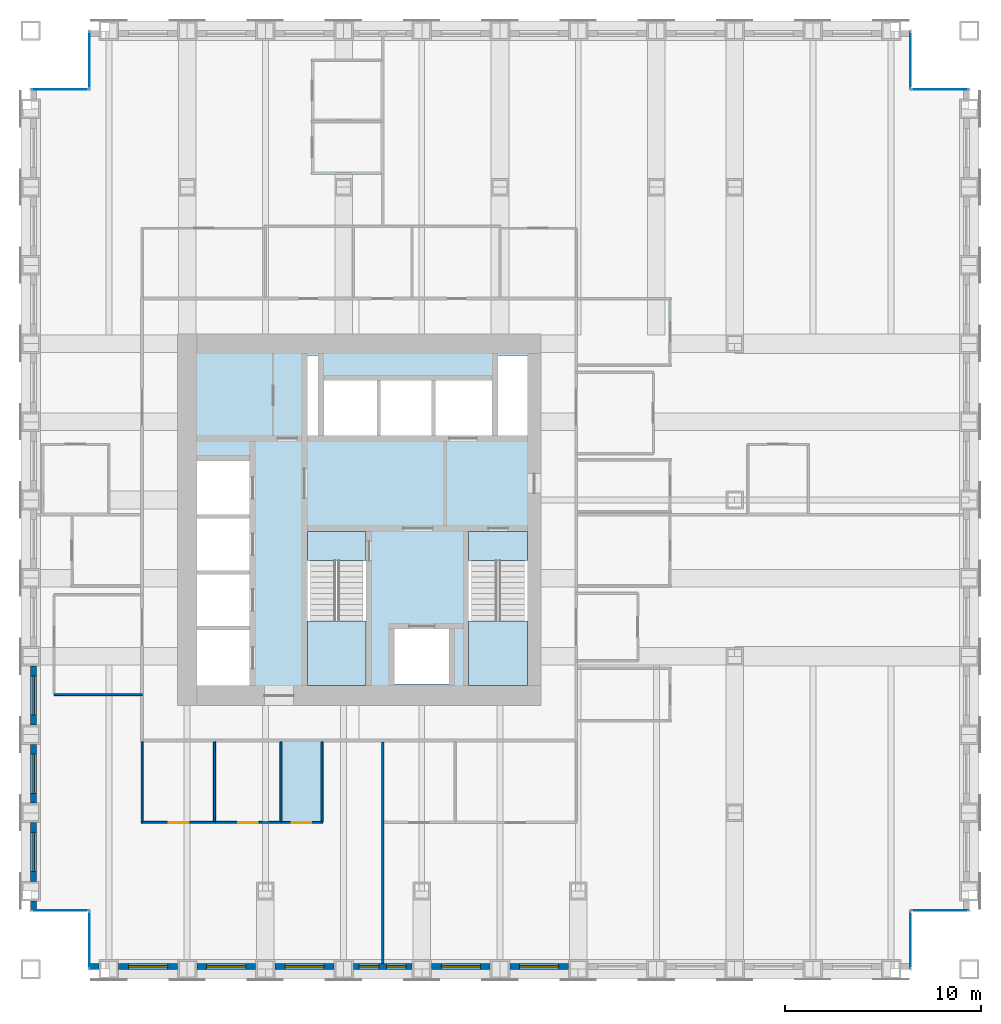
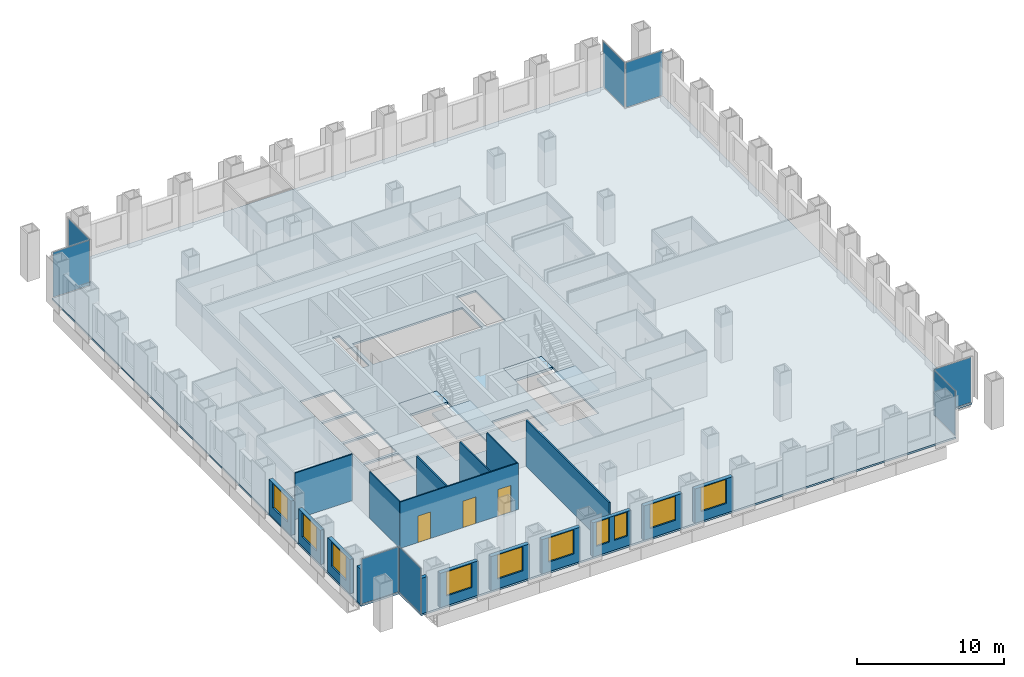
# One storey, part 10 of 16: 18 walls, 10 windows, 8 plates, 5 slabs, 3 doors, 13 openings, 10 elements without a shape of their own.
"""IFC4 building model written with IfcOpenShell, lengths in metres."""

from ifc_helpers import new_model, si_unit, direction, frame, frame_2d, origin, origin_2d, place, context, subcontext, project, spatial, polyline, rectangle, outline, extrude, material, layer, layer_set, type_object, element, fill, aggregate, save


model = new_model("IFC4")

# Units and contexts
model_context = context("Model", 3, precision=1e-05, world=origin(), true_north=direction((0.0, 1.0)))
body_context = subcontext(model_context, "Body", "Model", "MODEL_VIEW")
ifc_project = project(units=[si_unit("LENGTHUNIT", "METRE"), si_unit("AREAUNIT", "SQUARE_METRE"), si_unit("VOLUMEUNIT", "CUBIC_METRE"), si_unit("PLANEANGLEUNIT", "RADIAN"), si_unit("MASSUNIT", "GRAM", prefix="KILO")], contexts=[model_context])

# Site, building, storey
site_placement = place(None, origin())
site = spatial("IfcSite", under=ifc_project, at=site_placement, CompositionType="ELEMENT")
building_placement = place(site_placement, origin())
building = spatial("IfcBuilding", under=site, at=building_placement, Name="Rimbunsela Tower", CompositionType="ELEMENT")
storey_placement = place(building_placement, frame((0.0, 0.0, 125.39990234375)))
storey = spatial("IfcBuildingStorey", under=building, at=storey_placement, Name="L30", CompositionType="ELEMENT", Elevation=125.39990234375)

# Slab
ifc_material_1 = material(Name="Concrete fc' 35 MPa", Category="concrete")
ifc_layer_1 = layer(ifc_material_1, 0.14990234375)
ifc_layer_set_1 = layer_set([ifc_layer_1], Name="Floor slab 150")
slab_type_1 = type_object("IfcSlabType", Name="Floor slab 150", PredefinedType="FLOOR", material=ifc_layer_set_1)
slab_1_placement = place(storey_placement, frame((0.0, 0.0, -0.14990234375)))
element("IfcSlab", 1, at=slab_1_placement, inside=storey, type_object=slab_type_1, Name="Floor slab L30", PredefinedType="FLOOR", context=body_context, shape_type="SweptSolid", body=[
    extrude(outline(polyline([(13.0, 4.0), (55.0, 4.0), (55.0, 7.0), (58.0, 7.0), (58.0, 49.0), (55.0, 49.0), (55.0, 52.0), (13.0, 52.0), (13.0, 49.0), (10.0, 49.0), (10.0, 7.0), (13.0, 7.0), (13.0, 4.0)]), holes=[polyline([(21.199951171875, 21.35009765625), (18.5, 21.35009765625), (18.5, 18.5), (21.199951171875, 18.5), (21.199951171875, 21.35009765625)]), polyline([(21.199951171875, 21.550048828125), (21.199951171875, 24.199951171875), (18.5, 24.199951171875), (18.5, 21.550048828125), (21.199951171875, 21.550048828125)]), polyline([(21.199951171875, 27.050048828125), (18.5, 27.050048828125), (18.5, 24.39990234375), (21.199951171875, 24.39990234375), (21.199951171875, 27.050048828125)]), polyline([(21.199951171875, 27.25), (21.199951171875, 30.0), (18.5, 30.0), (18.5, 27.25), (21.199951171875, 27.25)]), polyline([(27.14990234375, 18.60009765625), (27.14990234375, 26.39990234375), (24.14990234375, 26.39990234375), (24.14990234375, 18.60009765625), (27.14990234375, 18.60009765625)]), polyline([(24.699951171875, 31.300048828125), (24.699951171875, 35.39990234375), (24.14990234375, 35.39990234375), (24.14990234375, 31.300048828125), (24.699951171875, 31.300048828125)]), polyline([(25.0, 34.10009765625), (25.0, 31.300048828125), (33.60009765625, 31.300048828125), (33.60009765625, 34.10009765625), (25.0, 34.10009765625)]), polyline([(31.39990234375, 21.39990234375), (28.60009765625, 21.39990234375), (28.60009765625, 18.60009765625), (31.39990234375, 18.60009765625), (31.39990234375, 21.39990234375)]), polyline([(35.39990234375, 18.60009765625), (35.39990234375, 26.39990234375), (32.39990234375, 26.39990234375), (32.39990234375, 18.60009765625), (35.39990234375, 18.60009765625)]), polyline([(35.39990234375, 31.300048828125), (35.39990234375, 35.39990234375), (33.89990234375, 35.39990234375), (33.89990234375, 31.300048828125), (35.39990234375, 31.300048828125)])]), origin(), (0.0, 0.0, 1.0), 0.14990234375),
])

# Curtain wall, plate
ifc_material_2 = material(Name="Aluminium curtain wall", Category="aluminium")
curtain_wall_type = type_object("IfcCurtainWallType", Name="Corner glazing", PredefinedType="USERDEFINED", material=ifc_material_2)
curtain_wall_1_placement = place(storey_placement, origin())
curtain_wall_1 = element("IfcCurtainWall", 2, at=curtain_wall_1_placement, inside=storey, type_object=curtain_wall_type, Name="Corner glazing L30", ObjectType="CORNER GLAZING", PredefinedType="USERDEFINED")
ifc_material_3 = material(Name="Clear double glazing", Category="glass")
ifc_layer_2 = layer(ifc_material_3, 0.028076171875)
ifc_layer_set_2 = layer_set([ifc_layer_2], Name="Glazed panel clear")
plate_type = type_object("IfcPlateType", Name="Glazed panel clear", PredefinedType="CURTAIN_PANEL", material=ifc_layer_set_2)
plate_1_placement = place(storey_placement, frame((55.0, 5.5, 0.06005859375), z_axis=(0.0, 0.0, 1.0), x_axis=(0.0, 1.0, 0.0)))
plate_1 = element("IfcPlate", 3, at=plate_1_placement, type_object=plate_type, Name="CW5 panel 1.1", PredefinedType="CURTAIN_PANEL", context=body_context, shape_type="SweptSolid", body=[
    extrude(rectangle(XDim=2.8798828125, YDim=0.028076171875, at=origin_2d()), origin(), (0.0, 0.0, 1.0), 3.72998046875),
])
aggregate(curtain_wall_1, [plate_1])

curtain_wall_2_placement = place(storey_placement, origin())
curtain_wall_2 = element("IfcCurtainWall", 4, at=curtain_wall_2_placement, inside=storey, type_object=curtain_wall_type, Name="Corner glazing L30", ObjectType="CORNER GLAZING", PredefinedType="USERDEFINED")
plate_2_placement = place(storey_placement, frame((56.5, 7.0, 0.06005859375), z_axis=(0.0, 0.0, 1.0), x_axis=(1.0, 0.0, 0.0)))
plate_2 = element("IfcPlate", 5, at=plate_2_placement, type_object=plate_type, Name="CW5 panel 1.1", PredefinedType="CURTAIN_PANEL", context=body_context, shape_type="SweptSolid", body=[
    extrude(rectangle(XDim=2.8798828125, YDim=0.028076171875, at=origin_2d()), origin(), (0.0, 0.0, 1.0), 3.72998046875),
])
aggregate(curtain_wall_2, [plate_2])

curtain_wall_3_placement = place(storey_placement, origin())
curtain_wall_3 = element("IfcCurtainWall", 6, at=curtain_wall_3_placement, inside=storey, type_object=curtain_wall_type, Name="Corner glazing L30", ObjectType="CORNER GLAZING", PredefinedType="USERDEFINED")
plate_3_placement = place(storey_placement, frame((56.5, 49.0, 0.06005859375), z_axis=(0.0, 0.0, 1.0), x_axis=(-1.0, 0.0, 0.0)))
plate_3 = element("IfcPlate", 7, at=plate_3_placement, type_object=plate_type, Name="CW5 panel 1.1", PredefinedType="CURTAIN_PANEL", context=body_context, shape_type="SweptSolid", body=[
    extrude(rectangle(XDim=2.8798828125, YDim=0.028076171875, at=origin_2d()), origin(), (0.0, 0.0, 1.0), 3.72998046875),
])
aggregate(curtain_wall_3, [plate_3])

curtain_wall_4_placement = place(storey_placement, origin())
curtain_wall_4 = element("IfcCurtainWall", 8, at=curtain_wall_4_placement, inside=storey, type_object=curtain_wall_type, Name="Corner glazing L30", ObjectType="CORNER GLAZING", PredefinedType="USERDEFINED")
plate_4_placement = place(storey_placement, frame((55.0, 50.5, 0.06005859375), z_axis=(0.0, 0.0, 1.0), x_axis=(0.0, 1.0, 0.0)))
plate_4 = element("IfcPlate", 9, at=plate_4_placement, type_object=plate_type, Name="CW5 panel 1.1", PredefinedType="CURTAIN_PANEL", context=body_context, shape_type="SweptSolid", body=[
    extrude(rectangle(XDim=2.8798828125, YDim=0.028076171875, at=origin_2d()), origin(), (0.0, 0.0, 1.0), 3.72998046875),
])
aggregate(curtain_wall_4, [plate_4])

curtain_wall_5_placement = place(storey_placement, origin())
curtain_wall_5 = element("IfcCurtainWall", 10, at=curtain_wall_5_placement, inside=storey, type_object=curtain_wall_type, Name="Corner glazing L30", ObjectType="CORNER GLAZING", PredefinedType="USERDEFINED")
plate_5_placement = place(storey_placement, frame((13.0, 50.5, 0.06005859375), z_axis=(0.0, 0.0, 1.0), x_axis=(0.0, -1.0, 0.0)))
plate_5 = element("IfcPlate", 11, at=plate_5_placement, type_object=plate_type, Name="CW5 panel 1.1", PredefinedType="CURTAIN_PANEL", context=body_context, shape_type="SweptSolid", body=[
    extrude(rectangle(XDim=2.8798828125, YDim=0.028076171875, at=origin_2d()), origin(), (0.0, 0.0, 1.0), 3.72998046875),
])
aggregate(curtain_wall_5, [plate_5])

curtain_wall_6_placement = place(storey_placement, origin())
curtain_wall_6 = element("IfcCurtainWall", 12, at=curtain_wall_6_placement, inside=storey, type_object=curtain_wall_type, Name="Corner glazing L30", ObjectType="CORNER GLAZING", PredefinedType="USERDEFINED")
plate_6_placement = place(storey_placement, frame((11.5, 49.0, 0.06005859375), z_axis=(0.0, 0.0, 1.0), x_axis=(-1.0, 0.0, 0.0)))
plate_6 = element("IfcPlate", 13, at=plate_6_placement, type_object=plate_type, Name="CW5 panel 1.1", PredefinedType="CURTAIN_PANEL", context=body_context, shape_type="SweptSolid", body=[
    extrude(rectangle(XDim=2.8798828125, YDim=0.028076171875, at=origin_2d()), origin(), (0.0, 0.0, 1.0), 3.72998046875),
])
aggregate(curtain_wall_6, [plate_6])

curtain_wall_7_placement = place(storey_placement, origin())
curtain_wall_7 = element("IfcCurtainWall", 14, at=curtain_wall_7_placement, inside=storey, type_object=curtain_wall_type, Name="Corner glazing L30", ObjectType="CORNER GLAZING", PredefinedType="USERDEFINED")
plate_7_placement = place(storey_placement, frame((11.5, 7.0, 0.06005859375), z_axis=(0.0, 0.0, 1.0), x_axis=(1.0, 0.0, 0.0)))
plate_7 = element("IfcPlate", 15, at=plate_7_placement, type_object=plate_type, Name="CW5 panel 1.1", PredefinedType="CURTAIN_PANEL", context=body_context, shape_type="SweptSolid", body=[
    extrude(rectangle(XDim=2.8798828125, YDim=0.028076171875, at=origin_2d()), origin(), (0.0, 0.0, 1.0), 3.72998046875),
])
aggregate(curtain_wall_7, [plate_7])

curtain_wall_8_placement = place(storey_placement, origin())
curtain_wall_8 = element("IfcCurtainWall", 16, at=curtain_wall_8_placement, inside=storey, type_object=curtain_wall_type, Name="Corner glazing L30", ObjectType="CORNER GLAZING", PredefinedType="USERDEFINED")
plate_8_placement = place(storey_placement, frame((13.0, 5.5, 0.06005859375), z_axis=(0.0, 0.0, 1.0), x_axis=(0.0, -1.0, 0.0)))
plate_8 = element("IfcPlate", 17, at=plate_8_placement, type_object=plate_type, Name="CW5 panel 1.1", PredefinedType="CURTAIN_PANEL", context=body_context, shape_type="SweptSolid", body=[
    extrude(rectangle(XDim=2.8798828125, YDim=0.028076171875, at=origin_2d()), origin(), (0.0, 0.0, 1.0), 3.72998046875),
])
aggregate(curtain_wall_8, [plate_8])

# Stair, slabs
ifc_material_4 = material(Name="Concrete fc' 35 MPa", Category="concrete")
stair_type = type_object("IfcStairType", Name="Exit stair 24 risers", PredefinedType="HALF_TURN_STAIR", material=ifc_material_4)
stair_1_placement = place(storey_placement, origin())
stair_1 = element("IfcStair", 18, at=stair_1_placement, inside=storey, type_object=stair_type, Name="Exit stair A L30", PredefinedType="HALF_TURN_STAIR")
ifc_material_5 = material(Name="Concrete fc' 35 MPa", Category="concrete")
ifc_layer_3 = layer(ifc_material_5, 0.199951171875)
ifc_layer_set_3 = layer_set([ifc_layer_3], Name="Stair landing 200")
slab_type_2 = type_object("IfcSlabType", Name="Stair landing 200", PredefinedType="LANDING", material=ifc_layer_set_3)
slab_2_placement = place(storey_placement, frame((0.0, 0.0, -0.199951171875)))
slab_2 = element("IfcSlab", 19, at=slab_2_placement, type_object=slab_type_2, Name="ST-A landing 1", PredefinedType="LANDING", context=body_context, shape_type="SweptSolid", body=[
    extrude(outline(polyline([(24.14990234375, 24.89990234375), (27.14990234375, 24.89990234375), (27.14990234375, 26.39990234375), (24.14990234375, 26.39990234375), (24.14990234375, 24.89990234375)])), origin(), (0.0, 0.0, 1.0), 0.199951171875),
])
slab_3_placement = place(storey_placement, frame((0.0, 0.0, 1.800048828125)))
slab_3 = element("IfcSlab", 20, at=slab_3_placement, type_object=slab_type_2, Name="ST-A landing 2", PredefinedType="LANDING", context=body_context, shape_type="SweptSolid", body=[
    extrude(outline(polyline([(24.14990234375, 18.5), (27.14990234375, 18.5), (27.14990234375, 21.820068359375), (24.14990234375, 21.820068359375), (24.14990234375, 18.5)])), origin(), (0.0, 0.0, 1.0), 0.199951171875),
])
aggregate(stair_1, [slab_2, slab_3])

stair_2_placement = place(storey_placement, origin())
stair_2 = element("IfcStair", 21, at=stair_2_placement, inside=storey, type_object=stair_type, Name="Exit stair B L30", PredefinedType="HALF_TURN_STAIR")
slab_4_placement = place(storey_placement, frame((0.0, 0.0, -0.199951171875)))
slab_4 = element("IfcSlab", 22, at=slab_4_placement, type_object=slab_type_2, Name="ST-B landing 1", PredefinedType="LANDING", context=body_context, shape_type="SweptSolid", body=[
    extrude(outline(polyline([(32.39990234375, 24.89990234375), (35.39990234375, 24.89990234375), (35.39990234375, 26.39990234375), (32.39990234375, 26.39990234375), (32.39990234375, 24.89990234375)])), origin(), (0.0, 0.0, 1.0), 0.199951171875),
])
slab_5_placement = place(storey_placement, frame((0.0, 0.0, 1.800048828125)))
slab_5 = element("IfcSlab", 23, at=slab_5_placement, type_object=slab_type_2, Name="ST-B landing 2", PredefinedType="LANDING", context=body_context, shape_type="SweptSolid", body=[
    extrude(outline(polyline([(32.39990234375, 18.5), (35.39990234375, 18.5), (35.39990234375, 21.820068359375), (32.39990234375, 21.820068359375), (32.39990234375, 18.5)])), origin(), (0.0, 0.0, 1.0), 0.199951171875),
])
aggregate(stair_2, [slab_4, slab_5])

# Wall, openings, doors
ifc_material_6 = material(Name="Gypsum board on steel studs", Category="steel")
ifc_layer_4 = layer(ifc_material_6, 0.10009765625)
ifc_layer_set_4 = layer_set([ifc_layer_4], Name="Office partition 100")
wall_type_1 = type_object("IfcWallType", Name="Office partition 100", PredefinedType="PARTITIONING", material=ifc_layer_set_4)
wall_1_placement = place(storey_placement, frame((15.64990234375, 11.5, 0.0), z_axis=(0.0, 0.0, 1.0), x_axis=(1.0, 0.0, 0.0)))
wall_1 = element("IfcWall", 24, at=wall_1_placement, inside=storey, type_object=wall_type_1, Name="Office partition", PredefinedType="PARTITIONING", context=body_context, shape_type="SweptSolid", body=[
    extrude(rectangle(XDim=9.300048828125, YDim=0.10009765625, at=frame_2d((4.64990234375, 0.0))), origin(), (0.0, 0.0, 1.0), 3.85009765625),
])
opening_1_placement = place(wall_1_placement, frame((1.39990234375, 0.0, 0.0)))
opening_1 = element("IfcOpeningElement", 25, at=opening_1_placement, cuts=wall_1, Name="Opening D17", PredefinedType="OPENING", context=body_context, shape_type="SweptSolid", body=[
    extrude(rectangle(XDim=1.0, YDim=2.199951171875, at=frame_2d((0.5, 1.10009765625))), frame((0.0, 0.06005859375, 0.0), z_axis=(0.0, -1.0, 0.0), x_axis=(1.0, 0.0, 0.0)), (0.0, 0.0, 1.0), 0.1201171875),
])
opening_2_placement = place(wall_1_placement, frame((4.949951171875, 0.0, 0.0)))
opening_2 = element("IfcOpeningElement", 26, at=opening_2_placement, cuts=wall_1, Name="Opening D16", PredefinedType="OPENING", context=body_context, shape_type="SweptSolid", body=[
    extrude(rectangle(XDim=1.0, YDim=2.199951171875, at=frame_2d((0.5, 1.10009765625))), frame((0.0, 0.06005859375, 0.0), z_axis=(0.0, -1.0, 0.0), x_axis=(1.0, 0.0, 0.0)), (0.0, 0.0, 1.0), 0.1201171875),
])
opening_3_placement = place(wall_1_placement, frame((7.699951171875, 0.0, 0.0)))
opening_3 = element("IfcOpeningElement", 27, at=opening_3_placement, cuts=wall_1, Name="Opening D16", PredefinedType="OPENING", context=body_context, shape_type="SweptSolid", body=[
    extrude(rectangle(XDim=1.0, YDim=2.199951171875, at=frame_2d((0.5, 1.10009765625))), frame((0.0, 0.06005859375, 0.0), z_axis=(0.0, -1.0, 0.0), x_axis=(1.0, 0.0, 0.0)), (0.0, 0.0, 1.0), 0.1201171875),
])
ifc_material_7 = material(Name="Glazed aluminium door", Category="aluminium")
door_type_1 = type_object("IfcDoorType", Name="Meeting room door 1000 glazed", OperationType="SINGLE_SWING_RIGHT", PredefinedType="DOOR", material=ifc_material_7)
door_1_placement = place(opening_1_placement, origin())
door_1 = element("IfcDoor", 28, at=door_1_placement, inside=storey, type_object=door_type_1, Name="Meeting room door", OperationType="SINGLE_SWING_RIGHT", OverallHeight=2.199951171875, OverallWidth=1.0, PredefinedType="DOOR", context=body_context, shape_type="SweptSolid", body=[
    extrude(rectangle(XDim=1.0, YDim=2.199951171875, at=frame_2d((0.5, 1.10009765625))), frame((0.0, 0.02490234375, 0.0), z_axis=(0.0, -1.0, 0.0), x_axis=(1.0, 0.0, 0.0)), (0.0, 0.0, 1.0), 0.050048828125),
])
fill(opening_1, door_1)
ifc_material_8 = material(Name="Timber door", Category="wood")
door_type_2 = type_object("IfcDoorType", Name="Office door 1000", OperationType="SINGLE_SWING_LEFT", PredefinedType="DOOR", material=ifc_material_8)
door_2_placement = place(opening_2_placement, origin())
door_2 = element("IfcDoor", 29, at=door_2_placement, inside=storey, type_object=door_type_2, Name="Office door", OperationType="SINGLE_SWING_LEFT", OverallHeight=2.199951171875, OverallWidth=1.0, PredefinedType="DOOR", context=body_context, shape_type="SweptSolid", body=[
    extrude(rectangle(XDim=1.0, YDim=2.199951171875, at=frame_2d((0.5, 1.10009765625))), frame((0.0, 0.02490234375, 0.0), z_axis=(0.0, -1.0, 0.0), x_axis=(1.0, 0.0, 0.0)), (0.0, 0.0, 1.0), 0.050048828125),
])
fill(opening_2, door_2)
door_3_placement = place(opening_3_placement, origin())
door_3 = element("IfcDoor", 30, at=door_3_placement, inside=storey, type_object=door_type_2, Name="Office door", OperationType="SINGLE_SWING_LEFT", OverallHeight=2.199951171875, OverallWidth=1.0, PredefinedType="DOOR", context=body_context, shape_type="SweptSolid", body=[
    extrude(rectangle(XDim=1.0, YDim=2.199951171875, at=frame_2d((0.5, 1.10009765625))), frame((0.0, 0.02490234375, 0.0), z_axis=(0.0, -1.0, 0.0), x_axis=(1.0, 0.0, 0.0)), (0.0, 0.0, 1.0), 0.050048828125),
])
fill(opening_3, door_3)

# Walls
for number, where, z_axis, x_axis, name in (
    (31, (15.699951171875, 11.550048828125, 0.0), (0.0, 0.0, 1.0), (0.0, 1.0, 0.0), "Office partition"),
    (32, (19.39990234375, 11.550048828125, 0.0), (0.0, 0.0, 1.0), (0.0, 1.0, 0.0), "Office partition"),
    (33, (22.800048828125, 11.550048828125, 0.0), (0.0, 0.0, 1.0), (0.0, 1.0, 0.0), "Office partition"),
    (34, (24.89990234375, 11.550048828125, 0.0), (0.0, 0.0, 1.0), (0.0, 1.0, 0.0), "Office partition"),
):
    element("IfcWall", number, at=place(storey_placement, frame(where, z_axis=z_axis, x_axis=x_axis)), inside=storey, type_object=wall_type_1, Name=name, PredefinedType="PARTITIONING", context=body_context, shape_type="SweptSolid", body=[
        extrude(rectangle(XDim=4.074951171875, YDim=0.10009765625, at=frame_2d((2.03759765625, 0.0))), origin(), (0.0, 0.0, 1.0), 3.85009765625),
    ])
wall_2_placement = place(storey_placement, frame((11.199951171875, 18.049072265625, 0.0), z_axis=(0.0, 0.0, 1.0), x_axis=(1.0, 0.0, 0.0)))
element("IfcWall", 35, at=wall_2_placement, inside=storey, type_object=wall_type_1, Name="Office partition", PredefinedType="PARTITIONING", context=body_context, shape_type="SweptSolid", body=[
    extrude(rectangle(XDim=4.5, YDim=0.10009765625, at=frame_2d((2.25, 0.0))), origin(), (0.0, 0.0, 1.0), 3.85009765625),
])
ifc_material_9 = material(Name="Precast concrete fc' 35 MPa", Category="concrete")
ifc_layer_5 = layer(ifc_material_9, 0.300048828125)
ifc_layer_set_5 = layer_set([ifc_layer_5], Name="Precast concrete fc' 35 MPa")
wall_type_2 = type_object("IfcWallType", Name="Precast facade panel 300", PredefinedType="ELEMENTEDWALL", material=ifc_layer_set_5)
wall_3_placement = place(storey_placement, frame((13.030029296875, 4.14990234375, 0.0), z_axis=(0.0, 0.0, 1.0), x_axis=(1.0, 0.0, 0.0)))
element("IfcWall", 36, at=wall_3_placement, inside=storey, type_object=wall_type_2, Name="Facade panel S L30", PredefinedType="ELEMENTEDWALL", context=body_context, shape_type="SweptSolid", body=[
    extrude(rectangle(XDim=0.469970703125, YDim=0.300048828125, at=frame_2d((0.23486328125, 0.0))), origin(), (0.0, 0.0, 1.0), 2.9501953125),
])

# Wall, opening, window
wall_4_placement = place(storey_placement, frame((14.5, 4.14990234375, 0.0), z_axis=(0.0, 0.0, 1.0), x_axis=(1.0, 0.0, 0.0)))
wall_4 = element("IfcWall", 37, at=wall_4_placement, inside=storey, type_object=wall_type_2, Name="Facade panel S L30", PredefinedType="ELEMENTEDWALL", context=body_context, shape_type="SweptSolid", body=[
    extrude(rectangle(XDim=3.0, YDim=0.300048828125, at=frame_2d((1.5, 0.0))), origin(), (0.0, 0.0, 1.0), 2.85009765625),
])
opening_4_placement = place(wall_4_placement, frame((0.5, 0.0, 0.800048828125)))
opening_4 = element("IfcOpeningElement", 38, at=opening_4_placement, cuts=wall_4, Name="Opening W1", PredefinedType="OPENING", context=body_context, shape_type="SweptSolid", body=[
    extrude(rectangle(XDim=2.0, YDim=2.0, at=frame_2d((1.0, 1.0))), frame((0.0, 0.159912109375, 0.0), z_axis=(0.0, -1.0, 0.0), x_axis=(1.0, 0.0, 0.0)), (0.0, 0.0, 1.0), 0.320068359375),
])
ifc_material_10 = material(Name="Clear glass in aluminium frame", Category="aluminium")
window_type_1 = type_object("IfcWindowType", Name="Window W1 2000x2000", PartitioningType="DOUBLE_PANEL_VERTICAL", PredefinedType="WINDOW", material=ifc_material_10)
window_1_placement = place(opening_4_placement, origin())
window_1 = element("IfcWindow", 39, at=window_1_placement, inside=storey, type_object=window_type_1, Name="Window L30", OverallHeight=2.0, OverallWidth=2.0, PartitioningType="SINGLE_PANEL", PredefinedType="WINDOW", context=body_context, shape_type="SweptSolid", body=[
    extrude(rectangle(XDim=2.0, YDim=2.0, at=frame_2d((1.0, 1.0))), frame((0.0, 0.030029296875, 0.0), z_axis=(0.0, -1.0, 0.0), x_axis=(1.0, 0.0, 0.0)), (0.0, 0.0, 1.0), 0.06005859375),
])
fill(opening_4, window_1)

wall_5_placement = place(storey_placement, frame((18.5, 4.14990234375, 0.0), z_axis=(0.0, 0.0, 1.0), x_axis=(1.0, 0.0, 0.0)))
wall_5 = element("IfcWall", 40, at=wall_5_placement, inside=storey, type_object=wall_type_2, Name="Facade panel S L30", PredefinedType="ELEMENTEDWALL", context=body_context, shape_type="SweptSolid", body=[
    extrude(rectangle(XDim=3.0, YDim=0.300048828125, at=frame_2d((1.5, 0.0))), origin(), (0.0, 0.0, 1.0), 2.85009765625),
])
opening_5_placement = place(wall_5_placement, frame((0.5, 0.0, 0.800048828125)))
opening_5 = element("IfcOpeningElement", 41, at=opening_5_placement, cuts=wall_5, Name="Opening W1", PredefinedType="OPENING", context=body_context, shape_type="SweptSolid", body=[
    extrude(rectangle(XDim=2.0, YDim=2.0, at=frame_2d((1.0, 1.0))), frame((0.0, 0.159912109375, 0.0), z_axis=(0.0, -1.0, 0.0), x_axis=(1.0, 0.0, 0.0)), (0.0, 0.0, 1.0), 0.320068359375),
])
window_2_placement = place(opening_5_placement, origin())
window_2 = element("IfcWindow", 42, at=window_2_placement, inside=storey, type_object=window_type_1, Name="Window L30", OverallHeight=2.0, OverallWidth=2.0, PartitioningType="SINGLE_PANEL", PredefinedType="WINDOW", context=body_context, shape_type="SweptSolid", body=[
    extrude(rectangle(XDim=2.0, YDim=2.0, at=frame_2d((1.0, 1.0))), frame((0.0, 0.030029296875, 0.0), z_axis=(0.0, -1.0, 0.0), x_axis=(1.0, 0.0, 0.0)), (0.0, 0.0, 1.0), 0.06005859375),
])
fill(opening_5, window_2)

wall_6_placement = place(storey_placement, frame((22.5, 4.14990234375, 0.0), z_axis=(0.0, 0.0, 1.0), x_axis=(1.0, 0.0, 0.0)))
wall_6 = element("IfcWall", 43, at=wall_6_placement, inside=storey, type_object=wall_type_2, Name="Facade panel S L30", PredefinedType="ELEMENTEDWALL", context=body_context, shape_type="SweptSolid", body=[
    extrude(rectangle(XDim=3.0, YDim=0.300048828125, at=frame_2d((1.5, 0.0))), origin(), (0.0, 0.0, 1.0), 2.85009765625),
])
opening_6_placement = place(wall_6_placement, frame((0.5, 0.0, 0.800048828125)))
opening_6 = element("IfcOpeningElement", 44, at=opening_6_placement, cuts=wall_6, Name="Opening W1", PredefinedType="OPENING", context=body_context, shape_type="SweptSolid", body=[
    extrude(rectangle(XDim=2.0, YDim=2.0, at=frame_2d((1.0, 1.0))), frame((0.0, 0.159912109375, 0.0), z_axis=(0.0, -1.0, 0.0), x_axis=(1.0, 0.0, 0.0)), (0.0, 0.0, 1.0), 0.320068359375),
])
window_3_placement = place(opening_6_placement, origin())
window_3 = element("IfcWindow", 45, at=window_3_placement, inside=storey, type_object=window_type_1, Name="Window L30", OverallHeight=2.0, OverallWidth=2.0, PartitioningType="SINGLE_PANEL", PredefinedType="WINDOW", context=body_context, shape_type="SweptSolid", body=[
    extrude(rectangle(XDim=2.0, YDim=2.0, at=frame_2d((1.0, 1.0))), frame((0.0, 0.030029296875, 0.0), z_axis=(0.0, -1.0, 0.0), x_axis=(1.0, 0.0, 0.0)), (0.0, 0.0, 1.0), 0.06005859375),
])
fill(opening_6, window_3)

# Wall, openings, windows
wall_7_placement = place(storey_placement, frame((26.5, 4.14990234375, 0.0), z_axis=(0.0, 0.0, 1.0), x_axis=(1.0, 0.0, 0.0)))
wall_7 = element("IfcWall", 46, at=wall_7_placement, inside=storey, type_object=wall_type_2, Name="Facade panel S L30", PredefinedType="ELEMENTEDWALL", context=body_context, shape_type="SweptSolid", body=[
    extrude(rectangle(XDim=3.0, YDim=0.300048828125, at=frame_2d((1.5, 0.0))), origin(), (0.0, 0.0, 1.0), 2.85009765625),
])
opening_7_placement = place(wall_7_placement, frame((0.300048828125, 0.0, 0.800048828125)))
opening_7 = element("IfcOpeningElement", 47, at=opening_7_placement, cuts=wall_7, Name="Opening W5", PredefinedType="OPENING", context=body_context, shape_type="SweptSolid", body=[
    extrude(rectangle(XDim=1.0, YDim=2.0, at=frame_2d((0.5, 1.0))), frame((0.0, 0.159912109375, 0.0), z_axis=(0.0, -1.0, 0.0), x_axis=(1.0, 0.0, 0.0)), (0.0, 0.0, 1.0), 0.320068359375),
])
opening_8_placement = place(wall_7_placement, frame((1.699951171875, 0.0, 0.800048828125)))
opening_8 = element("IfcOpeningElement", 48, at=opening_8_placement, cuts=wall_7, Name="Opening W5", PredefinedType="OPENING", context=body_context, shape_type="SweptSolid", body=[
    extrude(rectangle(XDim=1.0, YDim=2.0, at=frame_2d((0.5, 1.0))), frame((0.0, 0.159912109375, 0.0), z_axis=(0.0, -1.0, 0.0), x_axis=(1.0, 0.0, 0.0)), (0.0, 0.0, 1.0), 0.320068359375),
])
ifc_material_11 = material(Name="Clear glass in aluminium frame", Category="aluminium")
window_type_2 = type_object("IfcWindowType", Name="Window W5 1000x2000", PartitioningType="SINGLE_PANEL", PredefinedType="WINDOW", material=ifc_material_11)
window_4_placement = place(opening_7_placement, origin())
window_4 = element("IfcWindow", 49, at=window_4_placement, inside=storey, type_object=window_type_2, Name="Window L30", OverallHeight=2.0, OverallWidth=1.0, PartitioningType="SINGLE_PANEL", PredefinedType="WINDOW", context=body_context, shape_type="SweptSolid", body=[
    extrude(rectangle(XDim=1.0, YDim=2.0, at=frame_2d((0.5, 1.0))), frame((0.0, 0.030029296875, 0.0), z_axis=(0.0, -1.0, 0.0), x_axis=(1.0, 0.0, 0.0)), (0.0, 0.0, 1.0), 0.06005859375),
])
fill(opening_7, window_4)
window_5_placement = place(opening_8_placement, origin())
window_5 = element("IfcWindow", 50, at=window_5_placement, inside=storey, type_object=window_type_2, Name="Window L30", OverallHeight=2.0, OverallWidth=1.0, PartitioningType="SINGLE_PANEL", PredefinedType="WINDOW", context=body_context, shape_type="SweptSolid", body=[
    extrude(rectangle(XDim=1.0, YDim=2.0, at=frame_2d((0.5, 1.0))), frame((0.0, 0.030029296875, 0.0), z_axis=(0.0, -1.0, 0.0), x_axis=(1.0, 0.0, 0.0)), (0.0, 0.0, 1.0), 0.06005859375),
])
fill(opening_8, window_5)

# Wall, opening, window
wall_8_placement = place(storey_placement, frame((30.5, 4.14990234375, 0.0), z_axis=(0.0, 0.0, 1.0), x_axis=(1.0, 0.0, 0.0)))
wall_8 = element("IfcWall", 51, at=wall_8_placement, inside=storey, type_object=wall_type_2, Name="Facade panel S L30", PredefinedType="ELEMENTEDWALL", context=body_context, shape_type="SweptSolid", body=[
    extrude(rectangle(XDim=3.0, YDim=0.300048828125, at=frame_2d((1.5, 0.0))), origin(), (0.0, 0.0, 1.0), 2.85009765625),
])
opening_9_placement = place(wall_8_placement, frame((0.5, 0.0, 0.800048828125)))
opening_9 = element("IfcOpeningElement", 52, at=opening_9_placement, cuts=wall_8, Name="Opening W1", PredefinedType="OPENING", context=body_context, shape_type="SweptSolid", body=[
    extrude(rectangle(XDim=2.0, YDim=2.0, at=frame_2d((1.0, 1.0))), frame((0.0, 0.159912109375, 0.0), z_axis=(0.0, -1.0, 0.0), x_axis=(1.0, 0.0, 0.0)), (0.0, 0.0, 1.0), 0.320068359375),
])
window_6_placement = place(opening_9_placement, origin())
window_6 = element("IfcWindow", 53, at=window_6_placement, inside=storey, type_object=window_type_1, Name="Window L30", OverallHeight=2.0, OverallWidth=2.0, PartitioningType="SINGLE_PANEL", PredefinedType="WINDOW", context=body_context, shape_type="SweptSolid", body=[
    extrude(rectangle(XDim=2.0, YDim=2.0, at=frame_2d((1.0, 1.0))), frame((0.0, 0.030029296875, 0.0), z_axis=(0.0, -1.0, 0.0), x_axis=(1.0, 0.0, 0.0)), (0.0, 0.0, 1.0), 0.06005859375),
])
fill(opening_9, window_6)

wall_9_placement = place(storey_placement, frame((34.5, 4.14990234375, 0.0), z_axis=(0.0, 0.0, 1.0), x_axis=(1.0, 0.0, 0.0)))
wall_9 = element("IfcWall", 54, at=wall_9_placement, inside=storey, type_object=wall_type_2, Name="Facade panel S L30", PredefinedType="ELEMENTEDWALL", context=body_context, shape_type="SweptSolid", body=[
    extrude(rectangle(XDim=3.0, YDim=0.300048828125, at=frame_2d((1.5, 0.0))), origin(), (0.0, 0.0, 1.0), 2.85009765625),
])
opening_10_placement = place(wall_9_placement, frame((0.5, 0.0, 0.800048828125)))
opening_10 = element("IfcOpeningElement", 55, at=opening_10_placement, cuts=wall_9, Name="Opening W1", PredefinedType="OPENING", context=body_context, shape_type="SweptSolid", body=[
    extrude(rectangle(XDim=2.0, YDim=2.0, at=frame_2d((1.0, 1.0))), frame((0.0, 0.159912109375, 0.0), z_axis=(0.0, -1.0, 0.0), x_axis=(1.0, 0.0, 0.0)), (0.0, 0.0, 1.0), 0.320068359375),
])
window_7_placement = place(opening_10_placement, origin())
window_7 = element("IfcWindow", 56, at=window_7_placement, inside=storey, type_object=window_type_1, Name="Window L30", OverallHeight=2.0, OverallWidth=2.0, PartitioningType="SINGLE_PANEL", PredefinedType="WINDOW", context=body_context, shape_type="SweptSolid", body=[
    extrude(rectangle(XDim=2.0, YDim=2.0, at=frame_2d((1.0, 1.0))), frame((0.0, 0.030029296875, 0.0), z_axis=(0.0, -1.0, 0.0), x_axis=(1.0, 0.0, 0.0)), (0.0, 0.0, 1.0), 0.06005859375),
])
fill(opening_10, window_7)

# Wall
wall_10_placement = place(storey_placement, frame((10.14990234375, 7.5, 0.0), z_axis=(0.0, 0.0, 1.0), x_axis=(0.0, -1.0, 0.0)))
element("IfcWall", 57, at=wall_10_placement, inside=storey, type_object=wall_type_2, Name="Facade panel W L30", PredefinedType="ELEMENTEDWALL", context=body_context, shape_type="SweptSolid", body=[
    extrude(rectangle(XDim=0.469970703125, YDim=0.300048828125, at=frame_2d((0.23486328125, 0.0))), origin(), (0.0, 0.0, 1.0), 2.9501953125),
])

# Wall, opening, window
wall_11_placement = place(storey_placement, frame((10.14990234375, 11.5, 0.0), z_axis=(0.0, 0.0, 1.0), x_axis=(0.0, -1.0, 0.0)))
wall_11 = element("IfcWall", 58, at=wall_11_placement, inside=storey, type_object=wall_type_2, Name="Facade panel W L30", PredefinedType="ELEMENTEDWALL", context=body_context, shape_type="SweptSolid", body=[
    extrude(rectangle(XDim=3.0, YDim=0.300048828125, at=frame_2d((1.5, 0.0))), origin(), (0.0, 0.0, 1.0), 2.85009765625),
])
opening_11_placement = place(wall_11_placement, frame((0.5, 0.0, 0.800048828125)))
opening_11 = element("IfcOpeningElement", 59, at=opening_11_placement, cuts=wall_11, Name="Opening W1", PredefinedType="OPENING", context=body_context, shape_type="SweptSolid", body=[
    extrude(rectangle(XDim=2.0, YDim=2.0, at=frame_2d((1.0, 1.0))), frame((0.0, 0.159912109375, 0.0), z_axis=(0.0, -1.0, 0.0), x_axis=(1.0, 0.0, 0.0)), (0.0, 0.0, 1.0), 0.320068359375),
])
window_8_placement = place(opening_11_placement, origin())
window_8 = element("IfcWindow", 60, at=window_8_placement, inside=storey, type_object=window_type_1, Name="Window L30", OverallHeight=2.0, OverallWidth=2.0, PartitioningType="SINGLE_PANEL", PredefinedType="WINDOW", context=body_context, shape_type="SweptSolid", body=[
    extrude(rectangle(XDim=2.0, YDim=2.0, at=frame_2d((1.0, 1.0))), frame((0.0, 0.030029296875, 0.0), z_axis=(0.0, -1.0, 0.0), x_axis=(1.0, 0.0, 0.0)), (0.0, 0.0, 1.0), 0.06005859375),
])
fill(opening_11, window_8)

wall_12_placement = place(storey_placement, frame((10.14990234375, 15.5, 0.0), z_axis=(0.0, 0.0, 1.0), x_axis=(0.0, -1.0, 0.0)))
wall_12 = element("IfcWall", 61, at=wall_12_placement, inside=storey, type_object=wall_type_2, Name="Facade panel W L30", PredefinedType="ELEMENTEDWALL", context=body_context, shape_type="SweptSolid", body=[
    extrude(rectangle(XDim=3.0, YDim=0.300048828125, at=frame_2d((1.5, 0.0))), origin(), (0.0, 0.0, 1.0), 2.85009765625),
])
opening_12_placement = place(wall_12_placement, frame((0.5, 0.0, 0.800048828125)))
opening_12 = element("IfcOpeningElement", 62, at=opening_12_placement, cuts=wall_12, Name="Opening W1", PredefinedType="OPENING", context=body_context, shape_type="SweptSolid", body=[
    extrude(rectangle(XDim=2.0, YDim=2.0, at=frame_2d((1.0, 1.0))), frame((0.0, 0.159912109375, 0.0), z_axis=(0.0, -1.0, 0.0), x_axis=(1.0, 0.0, 0.0)), (0.0, 0.0, 1.0), 0.320068359375),
])
window_9_placement = place(opening_12_placement, origin())
window_9 = element("IfcWindow", 63, at=window_9_placement, inside=storey, type_object=window_type_1, Name="Window L30", OverallHeight=2.0, OverallWidth=2.0, PartitioningType="SINGLE_PANEL", PredefinedType="WINDOW", context=body_context, shape_type="SweptSolid", body=[
    extrude(rectangle(XDim=2.0, YDim=2.0, at=frame_2d((1.0, 1.0))), frame((0.0, 0.030029296875, 0.0), z_axis=(0.0, -1.0, 0.0), x_axis=(1.0, 0.0, 0.0)), (0.0, 0.0, 1.0), 0.06005859375),
])
fill(opening_12, window_9)

wall_13_placement = place(storey_placement, frame((10.14990234375, 19.5, 0.0), z_axis=(0.0, 0.0, 1.0), x_axis=(0.0, -1.0, 0.0)))
wall_13 = element("IfcWall", 64, at=wall_13_placement, inside=storey, type_object=wall_type_2, Name="Facade panel W L30", PredefinedType="ELEMENTEDWALL", context=body_context, shape_type="SweptSolid", body=[
    extrude(rectangle(XDim=3.0, YDim=0.300048828125, at=frame_2d((1.5, 0.0))), origin(), (0.0, 0.0, 1.0), 2.85009765625),
])
opening_13_placement = place(wall_13_placement, frame((0.5, 0.0, 0.800048828125)))
opening_13 = element("IfcOpeningElement", 65, at=opening_13_placement, cuts=wall_13, Name="Opening W1", PredefinedType="OPENING", context=body_context, shape_type="SweptSolid", body=[
    extrude(rectangle(XDim=2.0, YDim=2.0, at=frame_2d((1.0, 1.0))), frame((0.0, 0.159912109375, 0.0), z_axis=(0.0, -1.0, 0.0), x_axis=(1.0, 0.0, 0.0)), (0.0, 0.0, 1.0), 0.320068359375),
])
window_10_placement = place(opening_13_placement, origin())
window_10 = element("IfcWindow", 66, at=window_10_placement, inside=storey, type_object=window_type_1, Name="Window L30", OverallHeight=2.0, OverallWidth=2.0, PartitioningType="SINGLE_PANEL", PredefinedType="WINDOW", context=body_context, shape_type="SweptSolid", body=[
    extrude(rectangle(XDim=2.0, YDim=2.0, at=frame_2d((1.0, 1.0))), frame((0.0, 0.030029296875, 0.0), z_axis=(0.0, -1.0, 0.0), x_axis=(1.0, 0.0, 0.0)), (0.0, 0.0, 1.0), 0.06005859375),
])
fill(opening_13, window_10)

# Wall
ifc_material_12 = material(Name="Gypsum board on steel studs", Category="steel")
ifc_layer_6 = layer(ifc_material_12, 0.1201171875)
ifc_layer_set_6 = layer_set([ifc_layer_6], Name="Tenancy partition 120")
wall_type_3 = type_object("IfcWallType", Name="Tenancy partition 120", PredefinedType="PARTITIONING", material=ifc_layer_set_6)
wall_14_placement = place(storey_placement, frame((28.0, 4.300048828125, 0.0), z_axis=(0.0, 0.0, 1.0), x_axis=(0.0, 1.0, 0.0)))
element("IfcWall", 67, at=wall_14_placement, inside=storey, type_object=wall_type_3, Name="Tenancy partition south", PredefinedType="PARTITIONING", context=body_context, shape_type="SweptSolid", body=[
    extrude(rectangle(XDim=11.324951171875, YDim=0.1201171875, at=frame_2d((5.66259765625, 0.0))), origin(), (0.0, 0.0, 1.0), 3.85009765625),
])

save(model, "model.ifc")
